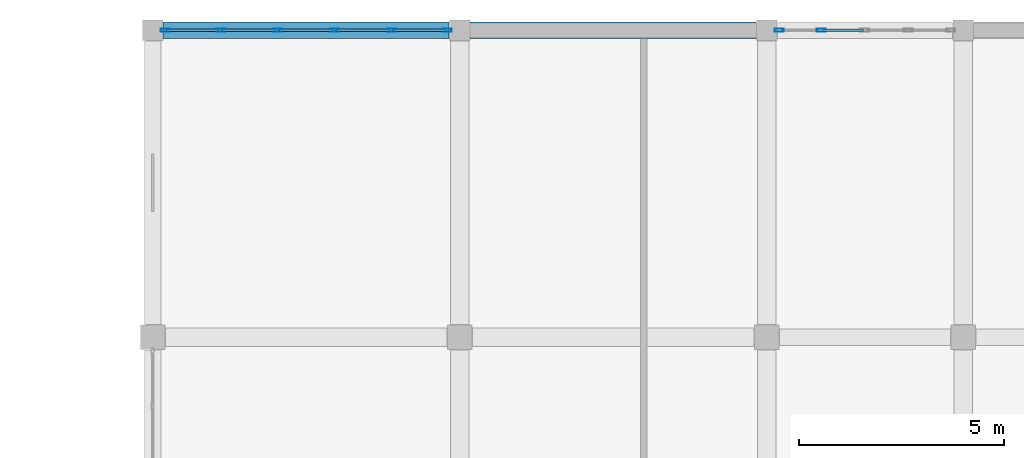
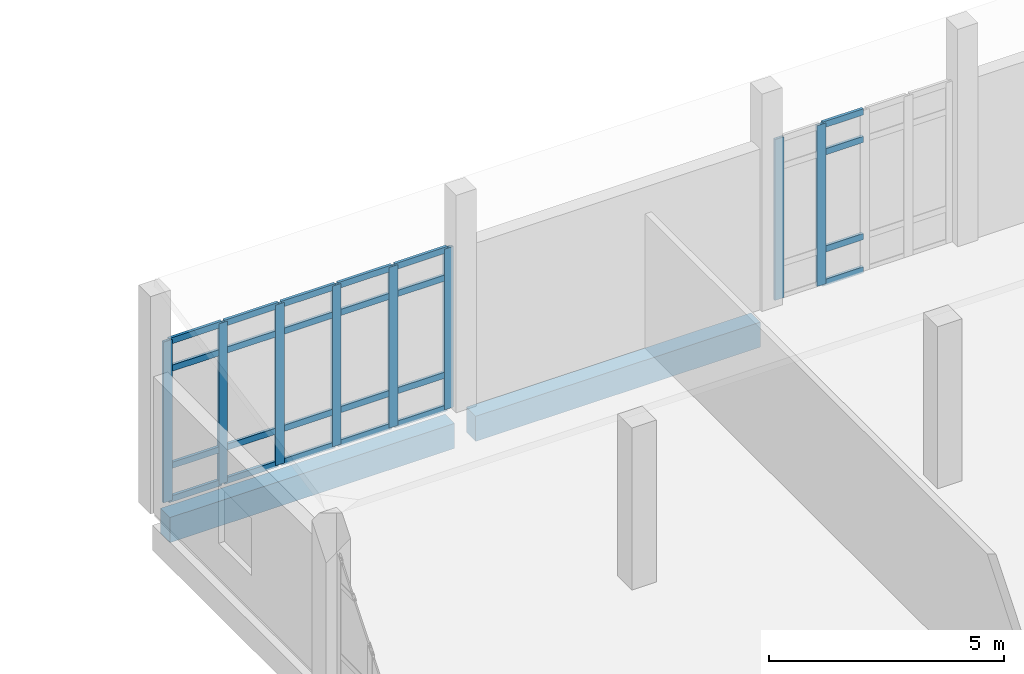
# One storey, part 79 of 164: 32 members, 2 beams, 2 elements without a shape of their own.
"""IFC4 building model written with IfcOpenShell, lengths in metres."""

import ifcopenshell
import ifcopenshell.guid

model = None  # the IFC model being written
_history = None  # IfcOwnerHistory: only IFC2X3 demands one
_inside = {}  # id of a spatial element -> (the spatial element, [elements in it])
_under = {}  # id of a project, library or spatial element -> (it, [spatial elements below it])
_declared = {}  # id of a project -> (the project, [libraries it declares])
_typed = {}  # id of a type object -> (the type object, [elements of that type])
_made_of = {}  # id of a material, layer set ... -> (it, [elements and type objects made of it])


def new_model(schema):
    """Start an empty IFC model of exactly this schema.

    Asked for "IFC4X3", IfcOpenShell would pick the latest addendum, in which some entities
    have other attributes; the version numbers below select the first issue.
    IFC2X3 requires an IfcOwnerHistory on every rooted entity: one is made here for all.
    """
    global model, _history
    if schema == "IFC4X3":
        model = ifcopenshell.file(schema_version=(4, 3, 0, 0))
    else:
        model = ifcopenshell.file(schema=schema)
    _inside.clear()
    _under.clear()
    _declared.clear()
    _typed.clear()
    _made_of.clear()
    _history = None
    if model.schema == "IFC2X3":
        org = make("IfcOrganization", Name="unknown")
        user = make(
            "IfcPersonAndOrganization",
            ThePerson=make("IfcPerson", FamilyName="unknown"),
            TheOrganization=org,
        )
        app = make(
            "IfcApplication",
            ApplicationDeveloper=org,
            Version="unknown",
            ApplicationFullName="unknown",
            ApplicationIdentifier="unknown",
        )
        _history = make(
            "IfcOwnerHistory",
            OwningUser=user,
            OwningApplication=app,
            ChangeAction="ADDED",
            CreationDate=0,
        )
    return model


def make(cls, **values):
    """One entity of the class cls with the attributes given. An attribute that is None is left unset."""
    return model.create_entity(
        cls, **{name: value for name, value in values.items() if value is not None}
    )


def rooted(cls, **values):
    """An entity with a GlobalId (a new one), such as an element, a storey or a relation."""
    return make(cls, GlobalId=ifcopenshell.guid.new(), OwnerHistory=_history, **values)


def si_unit(unit_type, name, prefix=None):
    """IfcSIUnit, for example si_unit("LENGTHUNIT", "METRE", prefix="MILLI")."""
    return make("IfcSIUnit", UnitType=unit_type, Prefix=prefix, Name=name)


def assignment(units):
    """IfcUnitAssignment: the units of a project."""
    return None if units is None else make("IfcUnitAssignment", Units=units)


def point(xyz):
    """IfcCartesianPoint."""
    return None if xyz is None else make("IfcCartesianPoint", Coordinates=xyz)


def direction(xyz):
    """IfcDirection."""
    return None if xyz is None else make("IfcDirection", DirectionRatios=xyz)


def frame(location, z_axis=None, x_axis=None):
    """IfcAxis2Placement3D, a coordinate frame: its origin and axes. An axis left out is left unset."""
    return make(
        "IfcAxis2Placement3D",
        Location=point(location),
        Axis=direction(z_axis),
        RefDirection=direction(x_axis),
    )


def frame_2d(location, x_axis=None):
    """IfcAxis2Placement2D, a coordinate frame in the plane: its origin and x axis."""
    return make(
        "IfcAxis2Placement2D", Location=point(location), RefDirection=direction(x_axis)
    )


def origin():
    """The frame at (0, 0, 0) with its axes left unset."""
    return frame((0.0, 0.0, 0.0))


def origin_2d():
    """The frame at (0, 0) in the plane with its x axis left unset."""
    return frame_2d((0.0, 0.0))


def place(relative_to, where):
    """IfcLocalPlacement: puts the frame where relative to a parent placement (None: the world)."""
    return make(
        "IfcLocalPlacement", PlacementRelTo=relative_to, RelativePlacement=where
    )


def context(
    kind, dimensions, precision=None, world=None, true_north=None, identifier=None
):
    """IfcGeometricRepresentationContext, for example the 3D "Model" context."""
    return make(
        "IfcGeometricRepresentationContext",
        ContextIdentifier=identifier,
        ContextType=kind,
        CoordinateSpaceDimension=dimensions,
        Precision=precision,
        WorldCoordinateSystem=world,
        TrueNorth=true_north,
    )


def subcontext(parent, identifier, kind, view, scale=None):
    """IfcGeometricRepresentationSubContext, for example "Body" below "Model"."""
    return make(
        "IfcGeometricRepresentationSubContext",
        ContextIdentifier=identifier,
        ContextType=kind,
        ParentContext=parent,
        TargetScale=scale,
        TargetView=view,
    )


def project(units=None, contexts=None):
    """IfcProject with its units and contexts."""
    return rooted(
        "IfcProject",
        Name="project",
        RepresentationContexts=contexts,
        UnitsInContext=assignment(units),
    )


def spatial(cls, under=None, at=None, **own):
    """A site, building, storey or space (cls), placed at a placement, below another one or the project."""
    s = rooted(cls, ObjectPlacement=at, **own)
    if under is not None:
        _under.setdefault(under.id(), (under, []))[1].append(s)
    return s


def profile(cls, at=None, kind="AREA", **sizes):
    """A parametric profile (cls). Its sizes go by their IFC names, for example OverallWidth=200.0."""
    return make(cls, ProfileType=kind, Position=at, **sizes)


def rectangle(**sizes):
    """IfcRectangleProfileDef."""
    return profile("IfcRectangleProfileDef", **sizes)


def hollow_rectangle(**sizes):
    """IfcRectangleHollowProfileDef."""
    return profile("IfcRectangleHollowProfileDef", **sizes)


def extrude(swept, where, along, depth):
    """IfcExtrudedAreaSolid: the profile swept, set in the frame where, extruded along a direction by depth."""
    return make(
        "IfcExtrudedAreaSolid",
        SweptArea=swept,
        Position=where,
        ExtrudedDirection=direction(along),
        Depth=depth,
    )


def shape(context_of_items, identifier, shape_type, items):
    """IfcShapeRepresentation: the items that make up one representation, for example the "Body"."""
    return make(
        "IfcShapeRepresentation",
        ContextOfItems=context_of_items,
        RepresentationIdentifier=identifier,
        RepresentationType=shape_type,
        Items=items,
    )


def material(Name=None, Category=None):
    """IfcMaterial."""
    return make("IfcMaterial", Name=Name, Category=Category)


def layer(
    of_material, thickness, ventilated=None, Name=None, Category=None, Priority=None
):
    """IfcMaterialLayer: one layer of a wall or slab, of a material (None: an air gap)."""
    return make(
        "IfcMaterialLayer",
        Material=of_material,
        LayerThickness=thickness,
        IsVentilated=ventilated,
        Name=Name,
        Category=Category,
        Priority=Priority,
    )


def layer_set(layers, Name=None):
    """IfcMaterialLayerSet."""
    return make("IfcMaterialLayerSet", MaterialLayers=layers, LayerSetName=Name)


def material_profile(
    of_material, cross_section, Name=None, Category=None, Priority=None
):
    """IfcMaterialProfile: a cross section and its material."""
    return make(
        "IfcMaterialProfile",
        Name=Name,
        Material=of_material,
        Profile=cross_section,
        Priority=Priority,
        Category=Category,
    )


def profile_set(profiles, Name=None, composite=None):
    """IfcMaterialProfileSet."""
    return make(
        "IfcMaterialProfileSet",
        Name=Name,
        MaterialProfiles=profiles,
        CompositeProfile=composite,
    )


def made_of(thing, what):
    """Note that an element or type object is made of a material, layer set ...; save() writes the relation."""
    if what is not None:
        _made_of.setdefault(what.id(), (what, []))[1].append(thing)
    return thing


def type_object(cls, material=None, **own):
    """A type object (cls), such as IfcWallType, which elements share."""
    return made_of(rooted(cls, **own), material)


def element(
    cls,
    number,
    at=None,
    inside=None,
    cuts=None,
    type_object=None,
    material=None,
    context=None,
    identifier="Body",
    shape_type=None,
    held_by="IfcProductDefinitionShape",
    body=None,
    shapes=None,
    **own,
):
    """One element of the class cls, such as IfcWall. Its Tag is "e" and its number.

    at: its placement. inside: the storey or other place that contains it. cuts: it is an
    opening in that element (IfcRelVoidsElement). A single representation is given by context,
    identifier, shape_type and body (its items); several are given by shapes. held_by: the class
    of the entity that holds the representations. save() writes the other relations.
    """
    e = rooted(cls, Tag="e%d" % number, ObjectPlacement=at, **own)
    if body is not None:
        shapes = [shape(context, identifier, shape_type, body)]
    if shapes is not None:
        e.Representation = make(held_by, Representations=shapes)
    if inside is not None:
        _inside.setdefault(inside.id(), (inside, []))[1].append(e)
    if cuts is not None:
        rooted(
            "IfcRelVoidsElement", RelatingBuildingElement=cuts, RelatedOpeningElement=e
        )
    if type_object is not None:
        _typed.setdefault(type_object.id(), (type_object, []))[1].append(e)
    return made_of(e, material)


def aggregate(whole, parts):
    """IfcRelAggregates: a whole, such as a stair, and the parts it consists of."""
    return rooted("IfcRelAggregates", RelatingObject=whole, RelatedObjects=parts)


def save(model, path):
    """Write the relations noted so far, then the file.

    IfcRelAggregates (storeys below a building ...), IfcRelContainedInSpatialStructure (elements
    in a storey), IfcRelDefinesByType, IfcRelAssociatesMaterial and IfcRelDeclares: one each for
    every whole, place, type object, material and project.
    """
    for whole, parts in _under.values():
        aggregate(whole, parts)
    for where, things in _inside.values():
        rooted(
            "IfcRelContainedInSpatialStructure",
            RelatedElements=things,
            RelatingStructure=where,
        )
    for kind, things in _typed.values():
        rooted("IfcRelDefinesByType", RelatedObjects=things, RelatingType=kind)
    for what, things in _made_of.values():
        rooted("IfcRelAssociatesMaterial", RelatedObjects=things, RelatingMaterial=what)
    for by, libraries in _declared.values():
        rooted("IfcRelDeclares", RelatingContext=by, RelatedDefinitions=libraries)
    model.write(path)


model = new_model("IFC4")

# Units and contexts
model_context = context("Model", 3, precision=1e-05, world=origin(), true_north=direction((0.0, 1.0)))
body_context = subcontext(model_context, "Body", "Model", "MODEL_VIEW")
ifc_project = project(units=[si_unit("LENGTHUNIT", "METRE"), si_unit("AREAUNIT", "SQUARE_METRE"), si_unit("VOLUMEUNIT", "CUBIC_METRE"), si_unit("PLANEANGLEUNIT", "RADIAN"), si_unit("MASSUNIT", "GRAM", prefix="KILO")], contexts=[model_context])

# Site, building, storey
site_placement = place(None, origin())
site = spatial("IfcSite", under=ifc_project, at=site_placement, CompositionType="ELEMENT")
building_placement = place(site_placement, origin())
building = spatial("IfcBuilding", under=site, at=building_placement, Name="Mawjan Specialist Oncology Clinic", CompositionType="ELEMENT")
storey_placement = place(building_placement, frame((0.0, 0.0, 5.0)))
storey = spatial("IfcBuildingStorey", under=building, at=storey_placement, Name="L01", CompositionType="ELEMENT", Elevation=5.0)

# Curtain wall, members
ifc_material_1 = material(Name="Unitised spectrally selective aluminium curtain wall", Category="aluminium")
ifc_layer_1 = layer(ifc_material_1, 0.179931640625, Name="Unitised spectrally selective aluminium curtain wall", Category="aluminium")
ifc_layer_set_1 = layer_set([ifc_layer_1], Name="Unitised spectrally selective aluminium curtain wall")
curtain_wall_type_1 = type_object("IfcCurtainWallType", Name="CW-62", PredefinedType="NOTDEFINED", material=ifc_layer_set_1)
curtain_wall_1_placement = place(storey_placement, origin())
curtain_wall_1 = element("IfcCurtainWall", 1, at=curtain_wall_1_placement, inside=storey, type_object=curtain_wall_type_1, Name="L01 Unitised Curtain Wall CW-L01-118", PredefinedType="NOTDEFINED")
ifc_material_2 = material(Name="Thermally broken aluminium 6063-T6", Category="aluminium")
ifc_material_profile_1 = material_profile(ifc_material_2, hollow_rectangle(XDim=0.070068359375, YDim=0.219970703125, WallThickness=0.00390625, at=origin_2d()), Name="ALU MULLION 220x70x4", Category="aluminium")
ifc_profile_set_1 = profile_set([ifc_material_profile_1], Name="Thermally broken aluminium 6063-T6")
member_type_1 = type_object("IfcMemberType", Name="CW-M220", PredefinedType="MULLION", material=ifc_profile_set_1)
member_1_placement = place(storey_placement, frame((45.304931640625, 113.300048828125, 0.0), z_axis=(0.0, 0.0, 1.0), x_axis=(0.0, 1.0, 0.0)))
member_1 = element("IfcMember", 2, at=member_1_placement, type_object=member_type_1, Name="CW-62 mullion 1", PredefinedType="MULLION", context=body_context, shape_type="SweptSolid", body=[
    extrude(hollow_rectangle(XDim=0.070068359375, YDim=0.219970703125, WallThickness=0.00390625, at=origin_2d()), origin(), (0.0, 0.0, 1.0), 4.169921875),
])
member_2_placement = place(storey_placement, frame((46.662109375, 113.300048828125, 0.0), z_axis=(0.0, 0.0, 1.0), x_axis=(0.0, 1.0, 0.0)))
member_2 = element("IfcMember", 3, at=member_2_placement, type_object=member_type_1, Name="CW-62 mullion 2", PredefinedType="MULLION", context=body_context, shape_type="SweptSolid", body=[
    extrude(hollow_rectangle(XDim=0.070068359375, YDim=0.219970703125, WallThickness=0.00390625, at=origin_2d()), origin(), (0.0, 0.0, 1.0), 4.169921875),
])
member_3_placement = place(storey_placement, frame((48.053955078125, 113.300048828125, 0.0), z_axis=(0.0, 0.0, 1.0), x_axis=(0.0, 1.0, 0.0)))
member_3 = element("IfcMember", 4, at=member_3_placement, type_object=member_type_1, Name="CW-62 mullion 3", PredefinedType="MULLION", context=body_context, shape_type="SweptSolid", body=[
    extrude(hollow_rectangle(XDim=0.070068359375, YDim=0.219970703125, WallThickness=0.00390625, at=origin_2d()), origin(), (0.0, 0.0, 1.0), 4.169921875),
])
member_4_placement = place(storey_placement, frame((49.446044921875, 113.300048828125, 0.0), z_axis=(0.0, 0.0, 1.0), x_axis=(0.0, 1.0, 0.0)))
member_4 = element("IfcMember", 5, at=member_4_placement, type_object=member_type_1, Name="CW-62 mullion 4", PredefinedType="MULLION", context=body_context, shape_type="SweptSolid", body=[
    extrude(hollow_rectangle(XDim=0.070068359375, YDim=0.219970703125, WallThickness=0.00390625, at=origin_2d()), origin(), (0.0, 0.0, 1.0), 4.169921875),
])
member_5_placement = place(storey_placement, frame((50.837890625, 113.300048828125, 0.0), z_axis=(0.0, 0.0, 1.0), x_axis=(0.0, 1.0, 0.0)))
member_5 = element("IfcMember", 6, at=member_5_placement, type_object=member_type_1, Name="CW-62 mullion 5", PredefinedType="MULLION", context=body_context, shape_type="SweptSolid", body=[
    extrude(hollow_rectangle(XDim=0.070068359375, YDim=0.219970703125, WallThickness=0.00390625, at=origin_2d()), origin(), (0.0, 0.0, 1.0), 4.169921875),
])
member_6_placement = place(storey_placement, frame((52.195068359375, 113.300048828125, 0.0), z_axis=(0.0, 0.0, 1.0), x_axis=(0.0, 1.0, 0.0)))
member_6 = element("IfcMember", 7, at=member_6_placement, type_object=member_type_1, Name="CW-62 mullion 6", PredefinedType="MULLION", context=body_context, shape_type="SweptSolid", body=[
    extrude(hollow_rectangle(XDim=0.070068359375, YDim=0.219970703125, WallThickness=0.00390625, at=origin_2d()), origin(), (0.0, 0.0, 1.0), 4.169921875),
])

ifc_material_3 = material(Name="Unitised spectrally selective aluminium curtain wall", Category="aluminium")
ifc_layer_2 = layer(ifc_material_3, 0.179931640625, Name="Unitised spectrally selective aluminium curtain wall", Category="aluminium")
ifc_layer_set_2 = layer_set([ifc_layer_2], Name="Unitised spectrally selective aluminium curtain wall")
curtain_wall_type_2 = type_object("IfcCurtainWallType", Name="CW-63", PredefinedType="NOTDEFINED", material=ifc_layer_set_2)
curtain_wall_2_placement = place(storey_placement, origin())
curtain_wall_2 = element("IfcCurtainWall", 8, at=curtain_wall_2_placement, inside=storey, type_object=curtain_wall_type_2, Name="L01 Unitised Curtain Wall CW-L01-119", PredefinedType="NOTDEFINED")
member_7_placement = place(storey_placement, frame((60.304931640625, 113.300048828125, 0.0), z_axis=(0.0, 0.0, 1.0), x_axis=(0.0, 1.0, 0.0)))
member_7 = element("IfcMember", 9, at=member_7_placement, type_object=member_type_1, Name="CW-63 mullion 1", PredefinedType="MULLION", context=body_context, shape_type="SweptSolid", body=[
    extrude(hollow_rectangle(XDim=0.070068359375, YDim=0.219970703125, WallThickness=0.00390625, at=origin_2d()), origin(), (0.0, 0.0, 1.0), 4.169921875),
])
member_8_placement = place(storey_placement, frame((61.3349609375, 113.300048828125, 0.0), z_axis=(0.0, 0.0, 1.0), x_axis=(0.0, 1.0, 0.0)))
member_8 = element("IfcMember", 10, at=member_8_placement, type_object=member_type_1, Name="CW-63 mullion 2", PredefinedType="MULLION", context=body_context, shape_type="SweptSolid", body=[
    extrude(hollow_rectangle(XDim=0.070068359375, YDim=0.219970703125, WallThickness=0.00390625, at=origin_2d()), origin(), (0.0, 0.0, 1.0), 4.169921875),
])

# Member
ifc_material_4 = material(Name="Thermally broken aluminium 6063-T6", Category="aluminium")
ifc_material_profile_2 = material_profile(ifc_material_4, hollow_rectangle(XDim=0.070068359375, YDim=0.159912109375, WallThickness=0.00390625, at=origin_2d()), Name="ALU TRANSOM 160x70x4", Category="aluminium")
ifc_profile_set_2 = profile_set([ifc_material_profile_2], Name="Thermally broken aluminium 6063-T6")
member_type_2 = type_object("IfcMemberType", Name="CW-T160", PredefinedType="USERDEFINED", material=ifc_profile_set_2)
member_9_placement = place(storey_placement, frame((45.340087890625, 113.300048828125, 0.034912109375), z_axis=(1.0, 0.0, 0.0), x_axis=(0.0, 1.0, 0.0)))
member_9 = element("IfcMember", 11, at=member_9_placement, type_object=member_type_2, Name="CW-62 transom 1.1", ObjectType="TRANSOM", PredefinedType="USERDEFINED", context=body_context, shape_type="SweptSolid", body=[
    extrude(hollow_rectangle(XDim=0.070068359375, YDim=0.159912109375, WallThickness=0.00390625, at=origin_2d()), origin(), (0.0, 0.0, 1.0), 1.286865234375),
])

member_10_placement = place(storey_placement, frame((45.340087890625, 113.300048828125, 0.89990234375), z_axis=(1.0, 0.0, 0.0), x_axis=(0.0, 1.0, 0.0)))
member_10 = element("IfcMember", 12, at=member_10_placement, type_object=member_type_2, Name="CW-62 transom 1.2", ObjectType="TRANSOM", PredefinedType="USERDEFINED", context=body_context, shape_type="SweptSolid", body=[
    extrude(hollow_rectangle(XDim=0.070068359375, YDim=0.159912109375, WallThickness=0.00390625, at=origin_2d()), origin(), (0.0, 0.0, 1.0), 1.286865234375),
])

member_11_placement = place(storey_placement, frame((45.340087890625, 113.300048828125, 3.419921875), z_axis=(1.0, 0.0, 0.0), x_axis=(0.0, 1.0, 0.0)))
member_11 = element("IfcMember", 13, at=member_11_placement, type_object=member_type_2, Name="CW-62 transom 1.3", ObjectType="TRANSOM", PredefinedType="USERDEFINED", context=body_context, shape_type="SweptSolid", body=[
    extrude(hollow_rectangle(XDim=0.070068359375, YDim=0.159912109375, WallThickness=0.00390625, at=origin_2d()), origin(), (0.0, 0.0, 1.0), 1.286865234375),
])

member_12_placement = place(storey_placement, frame((45.340087890625, 113.300048828125, 4.135009765625), z_axis=(1.0, 0.0, 0.0), x_axis=(0.0, 1.0, 0.0)))
member_12 = element("IfcMember", 14, at=member_12_placement, type_object=member_type_2, Name="CW-62 transom 1.4", ObjectType="TRANSOM", PredefinedType="USERDEFINED", context=body_context, shape_type="SweptSolid", body=[
    extrude(hollow_rectangle(XDim=0.070068359375, YDim=0.159912109375, WallThickness=0.00390625, at=origin_2d()), origin(), (0.0, 0.0, 1.0), 1.286865234375),
])

member_13_placement = place(storey_placement, frame((46.697021484375, 113.300048828125, 0.034912109375), z_axis=(1.0, 0.0, 0.0), x_axis=(0.0, 1.0, 0.0)))
member_13 = element("IfcMember", 15, at=member_13_placement, type_object=member_type_2, Name="CW-62 transom 2.1", ObjectType="TRANSOM", PredefinedType="USERDEFINED", context=body_context, shape_type="SweptSolid", body=[
    extrude(hollow_rectangle(XDim=0.070068359375, YDim=0.159912109375, WallThickness=0.00390625, at=origin_2d()), origin(), (0.0, 0.0, 1.0), 1.322021484375),
])

member_14_placement = place(storey_placement, frame((46.697021484375, 113.300048828125, 0.89990234375), z_axis=(1.0, 0.0, 0.0), x_axis=(0.0, 1.0, 0.0)))
member_14 = element("IfcMember", 16, at=member_14_placement, type_object=member_type_2, Name="CW-62 transom 2.2", ObjectType="TRANSOM", PredefinedType="USERDEFINED", context=body_context, shape_type="SweptSolid", body=[
    extrude(hollow_rectangle(XDim=0.070068359375, YDim=0.159912109375, WallThickness=0.00390625, at=origin_2d()), origin(), (0.0, 0.0, 1.0), 1.322021484375),
])

member_15_placement = place(storey_placement, frame((46.697021484375, 113.300048828125, 3.419921875), z_axis=(1.0, 0.0, 0.0), x_axis=(0.0, 1.0, 0.0)))
member_15 = element("IfcMember", 17, at=member_15_placement, type_object=member_type_2, Name="CW-62 transom 2.3", ObjectType="TRANSOM", PredefinedType="USERDEFINED", context=body_context, shape_type="SweptSolid", body=[
    extrude(hollow_rectangle(XDim=0.070068359375, YDim=0.159912109375, WallThickness=0.00390625, at=origin_2d()), origin(), (0.0, 0.0, 1.0), 1.322021484375),
])

member_16_placement = place(storey_placement, frame((46.697021484375, 113.300048828125, 4.135009765625), z_axis=(1.0, 0.0, 0.0), x_axis=(0.0, 1.0, 0.0)))
member_16 = element("IfcMember", 18, at=member_16_placement, type_object=member_type_2, Name="CW-62 transom 2.4", ObjectType="TRANSOM", PredefinedType="USERDEFINED", context=body_context, shape_type="SweptSolid", body=[
    extrude(hollow_rectangle(XDim=0.070068359375, YDim=0.159912109375, WallThickness=0.00390625, at=origin_2d()), origin(), (0.0, 0.0, 1.0), 1.322021484375),
])

member_17_placement = place(storey_placement, frame((48.089111328125, 113.300048828125, 0.034912109375), z_axis=(1.0, 0.0, 0.0), x_axis=(0.0, 1.0, 0.0)))
member_17 = element("IfcMember", 19, at=member_17_placement, type_object=member_type_2, Name="CW-62 transom 3.1", ObjectType="TRANSOM", PredefinedType="USERDEFINED", context=body_context, shape_type="SweptSolid", body=[
    extrude(hollow_rectangle(XDim=0.070068359375, YDim=0.159912109375, WallThickness=0.00390625, at=origin_2d()), origin(), (0.0, 0.0, 1.0), 1.32177734375),
])

member_18_placement = place(storey_placement, frame((48.089111328125, 113.300048828125, 0.89990234375), z_axis=(1.0, 0.0, 0.0), x_axis=(0.0, 1.0, 0.0)))
member_18 = element("IfcMember", 20, at=member_18_placement, type_object=member_type_2, Name="CW-62 transom 3.2", ObjectType="TRANSOM", PredefinedType="USERDEFINED", context=body_context, shape_type="SweptSolid", body=[
    extrude(hollow_rectangle(XDim=0.070068359375, YDim=0.159912109375, WallThickness=0.00390625, at=origin_2d()), origin(), (0.0, 0.0, 1.0), 1.32177734375),
])

member_19_placement = place(storey_placement, frame((48.089111328125, 113.300048828125, 3.419921875), z_axis=(1.0, 0.0, 0.0), x_axis=(0.0, 1.0, 0.0)))
member_19 = element("IfcMember", 21, at=member_19_placement, type_object=member_type_2, Name="CW-62 transom 3.3", ObjectType="TRANSOM", PredefinedType="USERDEFINED", context=body_context, shape_type="SweptSolid", body=[
    extrude(hollow_rectangle(XDim=0.070068359375, YDim=0.159912109375, WallThickness=0.00390625, at=origin_2d()), origin(), (0.0, 0.0, 1.0), 1.32177734375),
])

member_20_placement = place(storey_placement, frame((48.089111328125, 113.300048828125, 4.135009765625), z_axis=(1.0, 0.0, 0.0), x_axis=(0.0, 1.0, 0.0)))
member_20 = element("IfcMember", 22, at=member_20_placement, type_object=member_type_2, Name="CW-62 transom 3.4", ObjectType="TRANSOM", PredefinedType="USERDEFINED", context=body_context, shape_type="SweptSolid", body=[
    extrude(hollow_rectangle(XDim=0.070068359375, YDim=0.159912109375, WallThickness=0.00390625, at=origin_2d()), origin(), (0.0, 0.0, 1.0), 1.32177734375),
])

member_21_placement = place(storey_placement, frame((49.48095703125, 113.300048828125, 0.034912109375), z_axis=(1.0, 0.0, 0.0), x_axis=(0.0, 1.0, 0.0)))
member_21 = element("IfcMember", 23, at=member_21_placement, type_object=member_type_2, Name="CW-62 transom 4.1", ObjectType="TRANSOM", PredefinedType="USERDEFINED", context=body_context, shape_type="SweptSolid", body=[
    extrude(hollow_rectangle(XDim=0.070068359375, YDim=0.159912109375, WallThickness=0.00390625, at=origin_2d()), origin(), (0.0, 0.0, 1.0), 1.322021484375),
])

member_22_placement = place(storey_placement, frame((49.48095703125, 113.300048828125, 0.89990234375), z_axis=(1.0, 0.0, 0.0), x_axis=(0.0, 1.0, 0.0)))
member_22 = element("IfcMember", 24, at=member_22_placement, type_object=member_type_2, Name="CW-62 transom 4.2", ObjectType="TRANSOM", PredefinedType="USERDEFINED", context=body_context, shape_type="SweptSolid", body=[
    extrude(hollow_rectangle(XDim=0.070068359375, YDim=0.159912109375, WallThickness=0.00390625, at=origin_2d()), origin(), (0.0, 0.0, 1.0), 1.322021484375),
])

member_23_placement = place(storey_placement, frame((49.48095703125, 113.300048828125, 3.419921875), z_axis=(1.0, 0.0, 0.0), x_axis=(0.0, 1.0, 0.0)))
member_23 = element("IfcMember", 25, at=member_23_placement, type_object=member_type_2, Name="CW-62 transom 4.3", ObjectType="TRANSOM", PredefinedType="USERDEFINED", context=body_context, shape_type="SweptSolid", body=[
    extrude(hollow_rectangle(XDim=0.070068359375, YDim=0.159912109375, WallThickness=0.00390625, at=origin_2d()), origin(), (0.0, 0.0, 1.0), 1.322021484375),
])

member_24_placement = place(storey_placement, frame((49.48095703125, 113.300048828125, 4.135009765625), z_axis=(1.0, 0.0, 0.0), x_axis=(0.0, 1.0, 0.0)))
member_24 = element("IfcMember", 26, at=member_24_placement, type_object=member_type_2, Name="CW-62 transom 4.4", ObjectType="TRANSOM", PredefinedType="USERDEFINED", context=body_context, shape_type="SweptSolid", body=[
    extrude(hollow_rectangle(XDim=0.070068359375, YDim=0.159912109375, WallThickness=0.00390625, at=origin_2d()), origin(), (0.0, 0.0, 1.0), 1.322021484375),
])

member_25_placement = place(storey_placement, frame((50.873046875, 113.300048828125, 0.034912109375), z_axis=(1.0, 0.0, 0.0), x_axis=(0.0, 1.0, 0.0)))
member_25 = element("IfcMember", 27, at=member_25_placement, type_object=member_type_2, Name="CW-62 transom 5.1", ObjectType="TRANSOM", PredefinedType="USERDEFINED", context=body_context, shape_type="SweptSolid", body=[
    extrude(hollow_rectangle(XDim=0.070068359375, YDim=0.159912109375, WallThickness=0.00390625, at=origin_2d()), origin(), (0.0, 0.0, 1.0), 1.286865234375),
])

member_26_placement = place(storey_placement, frame((50.873046875, 113.300048828125, 0.89990234375), z_axis=(1.0, 0.0, 0.0), x_axis=(0.0, 1.0, 0.0)))
member_26 = element("IfcMember", 28, at=member_26_placement, type_object=member_type_2, Name="CW-62 transom 5.2", ObjectType="TRANSOM", PredefinedType="USERDEFINED", context=body_context, shape_type="SweptSolid", body=[
    extrude(hollow_rectangle(XDim=0.070068359375, YDim=0.159912109375, WallThickness=0.00390625, at=origin_2d()), origin(), (0.0, 0.0, 1.0), 1.286865234375),
])

member_27_placement = place(storey_placement, frame((50.873046875, 113.300048828125, 3.419921875), z_axis=(1.0, 0.0, 0.0), x_axis=(0.0, 1.0, 0.0)))
member_27 = element("IfcMember", 29, at=member_27_placement, type_object=member_type_2, Name="CW-62 transom 5.3", ObjectType="TRANSOM", PredefinedType="USERDEFINED", context=body_context, shape_type="SweptSolid", body=[
    extrude(hollow_rectangle(XDim=0.070068359375, YDim=0.159912109375, WallThickness=0.00390625, at=origin_2d()), origin(), (0.0, 0.0, 1.0), 1.286865234375),
])

member_28_placement = place(storey_placement, frame((50.873046875, 113.300048828125, 4.135009765625), z_axis=(1.0, 0.0, 0.0), x_axis=(0.0, 1.0, 0.0)))
member_28 = element("IfcMember", 30, at=member_28_placement, type_object=member_type_2, Name="CW-62 transom 5.4", ObjectType="TRANSOM", PredefinedType="USERDEFINED", context=body_context, shape_type="SweptSolid", body=[
    extrude(hollow_rectangle(XDim=0.070068359375, YDim=0.159912109375, WallThickness=0.00390625, at=origin_2d()), origin(), (0.0, 0.0, 1.0), 1.286865234375),
])

aggregate(curtain_wall_1, [member_1, member_2, member_3, member_4, member_5, member_6, member_9, member_10, member_11, member_12, member_13, member_14, member_15, member_16, member_17, member_18, member_19, member_20, member_21, member_22, member_23, member_24, member_25, member_26, member_27, member_28])

member_29_placement = place(storey_placement, frame((61.3701171875, 113.300048828125, 0.034912109375), z_axis=(1.0, 0.0, 0.0), x_axis=(0.0, 1.0, 0.0)))
member_29 = element("IfcMember", 31, at=member_29_placement, type_object=member_type_2, Name="CW-63 transom 2.1", ObjectType="TRANSOM", PredefinedType="USERDEFINED", context=body_context, shape_type="SweptSolid", body=[
    extrude(hollow_rectangle(XDim=0.070068359375, YDim=0.159912109375, WallThickness=0.00390625, at=origin_2d()), origin(), (0.0, 0.0, 1.0), 0.994873046875),
])

member_30_placement = place(storey_placement, frame((61.3701171875, 113.300048828125, 0.89990234375), z_axis=(1.0, 0.0, 0.0), x_axis=(0.0, 1.0, 0.0)))
member_30 = element("IfcMember", 32, at=member_30_placement, type_object=member_type_2, Name="CW-63 transom 2.2", ObjectType="TRANSOM", PredefinedType="USERDEFINED", context=body_context, shape_type="SweptSolid", body=[
    extrude(hollow_rectangle(XDim=0.070068359375, YDim=0.159912109375, WallThickness=0.00390625, at=origin_2d()), origin(), (0.0, 0.0, 1.0), 0.994873046875),
])

member_31_placement = place(storey_placement, frame((61.3701171875, 113.300048828125, 3.419921875), z_axis=(1.0, 0.0, 0.0), x_axis=(0.0, 1.0, 0.0)))
member_31 = element("IfcMember", 33, at=member_31_placement, type_object=member_type_2, Name="CW-63 transom 2.3", ObjectType="TRANSOM", PredefinedType="USERDEFINED", context=body_context, shape_type="SweptSolid", body=[
    extrude(hollow_rectangle(XDim=0.070068359375, YDim=0.159912109375, WallThickness=0.00390625, at=origin_2d()), origin(), (0.0, 0.0, 1.0), 0.994873046875),
])

member_32_placement = place(storey_placement, frame((61.3701171875, 113.300048828125, 4.135009765625), z_axis=(1.0, 0.0, 0.0), x_axis=(0.0, 1.0, 0.0)))
member_32 = element("IfcMember", 34, at=member_32_placement, type_object=member_type_2, Name="CW-63 transom 2.4", ObjectType="TRANSOM", PredefinedType="USERDEFINED", context=body_context, shape_type="SweptSolid", body=[
    extrude(hollow_rectangle(XDim=0.070068359375, YDim=0.159912109375, WallThickness=0.00390625, at=origin_2d()), origin(), (0.0, 0.0, 1.0), 0.994873046875),
])

aggregate(curtain_wall_2, [member_7, member_8, member_29, member_30, member_31, member_32])

# Beams
ifc_material_5 = material(Name="Concrete C45/55", Category="concrete")
ifc_material_profile_3 = material_profile(ifc_material_5, rectangle(XDim=0.39990234375, YDim=0.64990234375, at=origin_2d()), Name="RC BM 400x650", Category="concrete")
ifc_profile_set_3 = profile_set([ifc_material_profile_3], Name="Concrete C45/55")
beam_type = type_object("IfcBeamType", Name="SP-400x650", PredefinedType="SPANDREL", material=ifc_profile_set_3)
for number, where, z_axis, x_axis, name in (
    (35, (45.260009765625, 113.300048828125, -0.625), (1.0, 0.0, 0.0), (0.0, 1.0, 0.0), "L01 Spandrel Beam BM-L01-0407"),
    (36, (52.760009765625, 113.300048828125, -0.625), (1.0, 0.0, 0.0), (0.0, 1.0, 0.0), "L01 Spandrel Beam BM-L01-0408"),
):
    element("IfcBeam", number, at=place(storey_placement, frame(where, z_axis=z_axis, x_axis=x_axis)), inside=storey, type_object=beam_type, Name=name, PredefinedType="SPANDREL", context=body_context, shape_type="SweptSolid", body=[
        extrude(rectangle(XDim=0.39990234375, YDim=0.64990234375, at=origin_2d()), origin(), (0.0, 0.0, 1.0), 6.97998046875),
    ])

save(model, "model.ifc")
